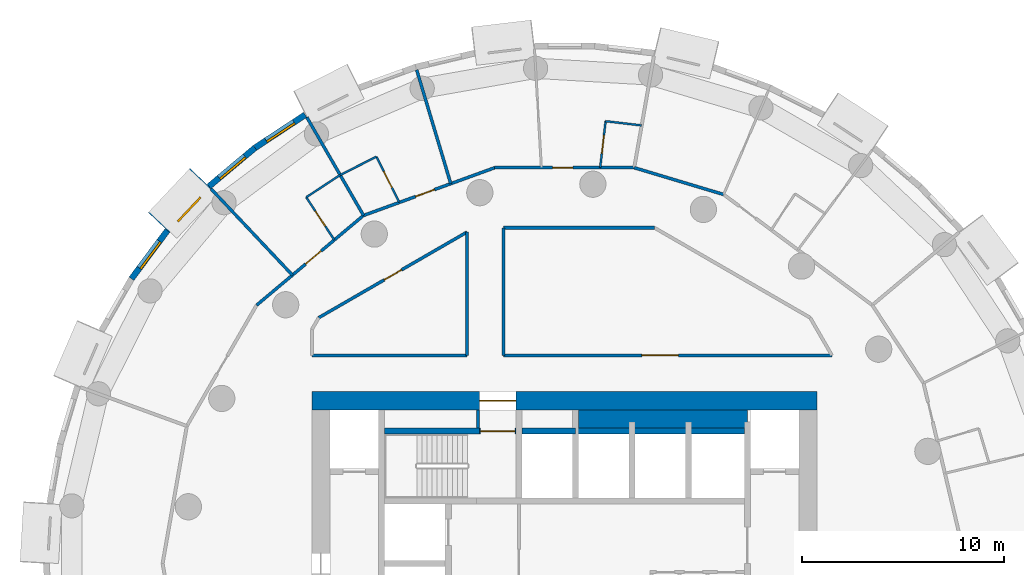
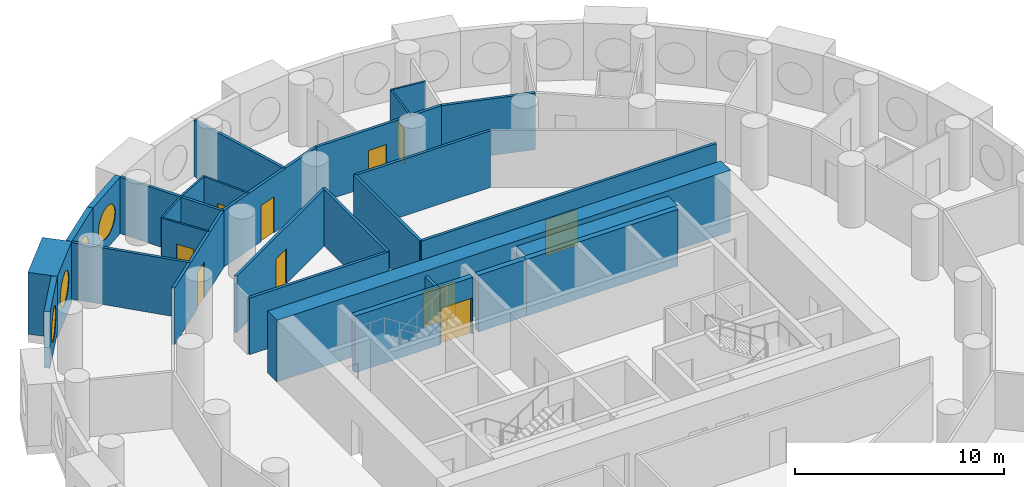
# One storey, part 6 of 9: 30 walls, 10 doors, 4 windows, 14 openings.
"""IFC4 building model written with IfcOpenShell, lengths in metres."""

from ifc_helpers import new_model, si_unit, direction, frame, frame_2d, origin, origin_2d, place, context, subcontext, project, spatial, rectangle, circle, extrude, material, layer, layer_set, type_object, element, fill, save


model = new_model("IFC4")

# Units and contexts
model_context = context("Model", 3, precision=1e-05, world=origin(), true_north=direction((0.0, 1.0)))
body_context = subcontext(model_context, "Body", "Model", "MODEL_VIEW")
ifc_project = project(units=[si_unit("LENGTHUNIT", "METRE"), si_unit("AREAUNIT", "SQUARE_METRE"), si_unit("VOLUMEUNIT", "CUBIC_METRE"), si_unit("PLANEANGLEUNIT", "RADIAN"), si_unit("MASSUNIT", "GRAM", prefix="KILO")], contexts=[model_context])

# Site, building, storey
site_placement = place(None, origin())
site = spatial("IfcSite", under=ifc_project, at=site_placement, CompositionType="ELEMENT")
building_placement = place(site_placement, origin())
building = spatial("IfcBuilding", under=site, at=building_placement, Name="Tracery Tower", CompositionType="ELEMENT")
storey_placement = place(building_placement, frame((0.0, 0.0, 176.39990234375)))
storey = spatial("IfcBuildingStorey", under=building, at=storey_placement, Name="L45", CompositionType="ELEMENT", Elevation=176.39990234375)

# Walls
ifc_material_1 = material(Name="Plasterboard on steel studs", Category="steel")
ifc_layer_1 = layer(ifc_material_1, 0.14990234375)
ifc_layer_set_1 = layer_set([ifc_layer_1], Name="Core room partition 150")
wall_type_1 = type_object("IfcWallType", Name="Core room partition 150", PredefinedType="SOLIDWALL", material=ifc_layer_set_1)
wall_1_placement = place(storey_placement, frame((-4.27490234375, 6.699951171875, 0.0), z_axis=(0.0, 0.0, 1.0), x_axis=(0.0, 1.0, 0.0)))
element("IfcWall", 1, at=wall_1_placement, inside=storey, type_object=wall_type_1, Name="L45 F N room", PredefinedType="SOLIDWALL", context=body_context, shape_type="SweptSolid", body=[
    extrude(rectangle(XDim=0.900146484375, YDim=0.14990234375, at=frame_2d((0.4501953125, 0.0))), origin(), (0.0, 0.0, 1.0), 3.300048828125),
])
ifc_material_2 = material(Name="Concrete C50/60", Category="concrete")
ifc_layer_2 = layer(ifc_material_2, 0.89990234375)
ifc_layer_set_2 = layer_set([ifc_layer_2], Name="Core strip wall 900 C50")
wall_type_2 = type_object("IfcWallType", Name="Core strip wall 900 C50", PredefinedType="SOLIDWALL", material=ifc_layer_set_2)
wall_2_placement = place(storey_placement, frame((0.699951171875, 7.14990234375, 0.0), z_axis=(0.0, 0.0, 1.0), x_axis=(1.0, 0.0, 0.0)))
element("IfcWall", 2, at=wall_2_placement, inside=storey, type_object=wall_type_2, Name="L45 F thick N E", PredefinedType="SOLIDWALL", context=body_context, shape_type="SweptSolid", body=[
    extrude(rectangle(XDim=8.35009765625, YDim=0.89990234375, at=frame_2d((4.175048828125, 0.0))), origin(), (0.0, 0.0, 1.0), 3.300048828125),
])

# Wall, opening, door
ifc_material_3 = material(Name="Concrete C50/60", Category="concrete")
ifc_layer_3 = layer(ifc_material_3, 0.89990234375)
ifc_layer_set_3 = layer_set([ifc_layer_3], Name="Core wall 900 C50")
wall_type_3 = type_object("IfcWallType", Name="Core wall 900 C50", PredefinedType="SOLIDWALL", material=ifc_layer_set_3)
wall_3_placement = place(storey_placement, frame((-12.5, 8.050048828125, 0.0), z_axis=(0.0, 0.0, 1.0), x_axis=(1.0, 0.0, 0.0)))
wall_3 = element("IfcWall", 3, at=wall_3_placement, inside=storey, type_object=wall_type_3, Name="L45 outer N", PredefinedType="SOLIDWALL", context=body_context, shape_type="SweptSolid", body=[
    extrude(rectangle(XDim=25.0, YDim=0.89990234375, at=frame_2d((12.5, 0.0))), origin(), (0.0, 0.0, 1.0), 3.60009765625),
])
opening_1_placement = place(wall_3_placement, frame((8.300048828125, 0.0, 0.0)))
opening_1 = element("IfcOpeningElement", 4, at=opening_1_placement, cuts=wall_3, Name="Opening KD13", PredefinedType="OPENING", context=body_context, shape_type="SweptSolid", body=[
    extrude(rectangle(XDim=1.800048828125, YDim=2.10009765625, at=frame_2d((0.89990234375, 1.050048828125))), frame((0.0, 0.449951171875, 0.0), z_axis=(0.0, -1.0, 0.0), x_axis=(1.0, 0.0, 0.0)), (0.0, 0.0, 1.0), 0.89990234375),
])
ifc_material_4 = material(Name="Steel fire door", Category="steel")
door_type_1 = type_object("IfcDoorType", Name="Core exit door 1800 double", OperationType="NOTDEFINED", PredefinedType="DOOR", material=ifc_material_4)
door_1_placement = place(opening_1_placement, origin())
door_1 = element("IfcDoor", 5, at=door_1_placement, inside=storey, type_object=door_type_1, Name="Core exit door", OperationType="DOUBLE_DOOR_SINGLE_SWING", OverallHeight=2.10009765625, OverallWidth=1.800048828125, PredefinedType="DOOR", context=body_context, shape_type="SweptSolid", body=[
    extrude(rectangle(XDim=1.800048828125, YDim=2.10009765625, at=frame_2d((0.89990234375, 1.050048828125))), frame((0.0, 0.02490234375, 0.0), z_axis=(0.0, -1.0, 0.0), x_axis=(1.0, 0.0, 0.0)), (0.0, 0.0, 1.0), 0.050048828125),
])
fill(opening_1, door_1)

# Wall, opening, window
ifc_material_5 = material(Name="Precast concrete C50/60", Category="concrete")
ifc_layer_4 = layer(ifc_material_5, 1.449951171875)
ifc_layer_set_4 = layer_set([ifc_layer_4], Name="Deep-set bay unit 3000 x 3600, slab edge 300")
wall_type_4 = type_object("IfcWallType", Name="Deep-set bay unit 3000 x 3600, slab edge 300", PredefinedType="ELEMENTEDWALL", material=ifc_layer_set_4)
wall_4_placement = place(storey_placement, frame((-18.0126953125, 19.05615234375, -0.2998046875), z_axis=(0.0, 0.0, 1.0), x_axis=(-0.686217177108, -0.727396718334, 0.0)))
wall_4 = element("IfcWall", 6, at=wall_4_placement, inside=storey, type_object=wall_type_4, Name="Deep-set bay unit 21 at L45", PredefinedType="ELEMENTEDWALL", context=body_context, shape_type="SweptSolid", body=[
    extrude(rectangle(XDim=3.0, YDim=1.449951171875, at=frame_2d((1.5, 0.0))), origin(), (0.0, 0.0, 1.0), 3.599853515625),
])
opening_2_placement = place(wall_4_placement, frame((1.5, 0.0, 1.85009765625)))
opening_2 = element("IfcOpeningElement", 7, at=opening_2_placement, cuts=wall_4, Name="Opening WN1", PredefinedType="OPENING", context=body_context, shape_type="SweptSolid", body=[
    extrude(circle(Radius=0.9000244140625, at=origin_2d()), frame((0.0, 0.73486328125, 0.0), z_axis=(0.0, -1.0, 0.0), x_axis=(1.0, 0.0, 0.0)), (0.0, 0.0, 1.0), 1.469970703125),
])
ifc_material_6 = material(Name="Aluminium frame with tinted double glazing", Category="aluminium")
window_type = type_object("IfcWindowType", Name="Round window 1800", PartitioningType="SINGLE_PANEL", PredefinedType="WINDOW", material=ifc_material_6)
window_1_placement = place(opening_2_placement, origin())
window_1 = element("IfcWindow", 8, at=window_1_placement, inside=storey, type_object=window_type, Name="Round window 21 at L45", OverallHeight=1.800048828125, OverallWidth=1.800048828125, PartitioningType="SINGLE_PANEL", PredefinedType="WINDOW", context=body_context, shape_type="SweptSolid", body=[
    extrude(circle(Radius=0.9000244140625, at=origin_2d()), frame((0.0, 0.69482421875, 0.0), z_axis=(0.0, -1.0, 0.0), x_axis=(1.0, 0.0, 0.0)), (0.0, 0.0, 1.0), 0.10009765625),
])
fill(opening_2, window_1)

ifc_material_7 = material(Name="Precast concrete C50/60", Category="concrete")
ifc_layer_5 = layer(ifc_material_7, 0.300048828125)
ifc_layer_set_5 = layer_set([ifc_layer_5], Name="Facade panel 3000 x 3300")
wall_type_5 = type_object("IfcWallType", Name="Facade panel 3000 x 3300", PredefinedType="SOLIDWALL", material=ifc_layer_set_5)
wall_5_placement = place(storey_placement, frame((-12.831787109375, 22.2060546875, 0.0), z_axis=(0.0, 0.0, 1.0), x_axis=(-0.835508361394, -0.54947773207, 0.0)))
wall_5 = element("IfcWall", 9, at=wall_5_placement, inside=storey, type_object=wall_type_5, Name="Facade panel 19 at L45", PredefinedType="SOLIDWALL", context=body_context, shape_type="SweptSolid", body=[
    extrude(rectangle(XDim=2.972900390625, YDim=0.300048828125, at=frame_2d((1.486328125, 0.0))), origin(), (0.0, 0.0, 1.0), 3.300048828125),
])
opening_3_placement = place(wall_5_placement, frame((1.486328125, 0.0, 1.5498046875)))
opening_3 = element("IfcOpeningElement", 10, at=opening_3_placement, cuts=wall_5, Name="Opening WN1", PredefinedType="OPENING", context=body_context, shape_type="SweptSolid", body=[
    extrude(circle(Radius=0.9000244140625, at=origin_2d()), frame((0.0, 0.159912109375, 0.0), z_axis=(0.0, -1.0, 0.0), x_axis=(1.0, 0.0, 0.0)), (0.0, 0.0, 1.0), 0.320068359375),
])
window_2_placement = place(opening_3_placement, origin())
window_2 = element("IfcWindow", 11, at=window_2_placement, inside=storey, type_object=window_type, Name="Round window 19 at L45", OverallHeight=1.800048828125, OverallWidth=1.800048828125, PartitioningType="SINGLE_PANEL", PredefinedType="WINDOW", context=body_context, shape_type="SweptSolid", body=[
    extrude(circle(Radius=0.9000244140625, at=origin_2d()), frame((0.0, 0.1201171875, 0.0), z_axis=(0.0, -1.0, 0.0), x_axis=(1.0, 0.0, 0.0)), (0.0, 0.0, 1.0), 0.10009765625),
])
fill(opening_3, window_2)

wall_6_placement = place(storey_placement, frame((-15.315673828125, 20.572509765625, 0.0), z_axis=(0.0, 0.0, 1.0), x_axis=(-0.766008913364, -0.642829950023, 0.0)))
wall_6 = element("IfcWall", 12, at=wall_6_placement, inside=storey, type_object=wall_type_5, Name="Facade panel 20 at L45", PredefinedType="SOLIDWALL", context=body_context, shape_type="SweptSolid", body=[
    extrude(rectangle(XDim=2.972900390625, YDim=0.300048828125, at=frame_2d((1.486328125, 0.0))), origin(), (0.0, 0.0, 1.0), 3.300048828125),
])
opening_4_placement = place(wall_6_placement, frame((1.486328125, 0.0, 1.5498046875)))
opening_4 = element("IfcOpeningElement", 13, at=opening_4_placement, cuts=wall_6, Name="Opening WN1", PredefinedType="OPENING", context=body_context, shape_type="SweptSolid", body=[
    extrude(circle(Radius=0.9000244140625, at=origin_2d()), frame((0.0, 0.159912109375, 0.0), z_axis=(0.0, -1.0, 0.0), x_axis=(1.0, 0.0, 0.0)), (0.0, 0.0, 1.0), 0.320068359375),
])
window_3_placement = place(opening_4_placement, origin())
window_3 = element("IfcWindow", 14, at=window_3_placement, inside=storey, type_object=window_type, Name="Round window 20 at L45", OverallHeight=1.800048828125, OverallWidth=1.800048828125, PartitioningType="SINGLE_PANEL", PredefinedType="WINDOW", context=body_context, shape_type="SweptSolid", body=[
    extrude(circle(Radius=0.9000244140625, at=origin_2d()), frame((0.0, 0.1201171875, 0.0), z_axis=(0.0, -1.0, 0.0), x_axis=(1.0, 0.0, 0.0)), (0.0, 0.0, 1.0), 0.10009765625),
])
fill(opening_4, window_3)

wall_7_placement = place(storey_placement, frame((-19.65283203125, 16.47802734375, 0.0), z_axis=(0.0, 0.0, 1.0), x_axis=(-0.597197580538, -0.80209416517, 0.0)))
wall_7 = element("IfcWall", 15, at=wall_7_placement, inside=storey, type_object=wall_type_5, Name="Facade panel 22 at L45", PredefinedType="SOLIDWALL", context=body_context, shape_type="SweptSolid", body=[
    extrude(rectangle(XDim=2.972900390625, YDim=0.300048828125, at=frame_2d((1.486328125, 0.0))), origin(), (0.0, 0.0, 1.0), 3.300048828125),
])
opening_5_placement = place(wall_7_placement, frame((1.486328125, 0.0, 1.5498046875)))
opening_5 = element("IfcOpeningElement", 16, at=opening_5_placement, cuts=wall_7, Name="Opening WN1", PredefinedType="OPENING", context=body_context, shape_type="SweptSolid", body=[
    extrude(circle(Radius=0.9000244140625, at=origin_2d()), frame((0.0, 0.159912109375, 0.0), z_axis=(0.0, -1.0, 0.0), x_axis=(1.0, 0.0, 0.0)), (0.0, 0.0, 1.0), 0.320068359375),
])
window_4_placement = place(opening_5_placement, origin())
window_4 = element("IfcWindow", 17, at=window_4_placement, inside=storey, type_object=window_type, Name="Round window 22 at L45", OverallHeight=1.800048828125, OverallWidth=1.800048828125, PartitioningType="SINGLE_PANEL", PredefinedType="WINDOW", context=body_context, shape_type="SweptSolid", body=[
    extrude(circle(Radius=0.9000244140625, at=origin_2d()), frame((0.0, 0.1201171875, 0.0), z_axis=(0.0, -1.0, 0.0), x_axis=(1.0, 0.0, 0.0)), (0.0, 0.0, 1.0), 0.10009765625),
])
fill(opening_5, window_4)

# Wall
ifc_material_8 = material(Name="Plasterboard on steel studs", Category="steel")
ifc_layer_6 = layer(ifc_material_8, 0.10009765625)
ifc_layer_set_6 = layer_set([ifc_layer_6], Name="Partition 100 wet wall")
wall_type_6 = type_object("IfcWallType", Name="Partition 100 wet wall", PredefinedType="PARTITIONING", material=ifc_layer_set_6)
wall_8_placement = place(storey_placement, frame((2.037109375, 21.886962890625, 0.0), z_axis=(0.0, 0.0, 1.0), x_axis=(0.993215363366, -0.116289474906, 0.0)))
element("IfcWall", 18, at=wall_8_placement, inside=storey, type_object=wall_type_6, Name="Wet wall RB5-053", PredefinedType="PARTITIONING", context=body_context, shape_type="SweptSolid", body=[
    extrude(rectangle(XDim=1.797119140625, YDim=0.10009765625, at=frame_2d((0.8984375, 0.0))), origin(), (0.0, 0.0, 1.0), 3.300048828125),
])

# Wall, opening, door
wall_9_placement = place(storey_placement, frame((1.76806640625, 19.5859375, 0.0), z_axis=(0.0, 0.0, 1.0), x_axis=(0.116131951318, 0.993233794171, 0.0)))
wall_9 = element("IfcWall", 19, at=wall_9_placement, inside=storey, type_object=wall_type_6, Name="Wet wall RB5-054", PredefinedType="PARTITIONING", context=body_context, shape_type="SweptSolid", body=[
    extrude(rectangle(XDim=2.316650390625, YDim=0.10009765625, at=frame_2d((1.158203125, 0.0))), origin(), (0.0, 0.0, 1.0), 3.300048828125),
])
opening_6_placement = place(wall_9_placement, frame((0.708740234375, 0.0, 0.0)))
opening_6 = element("IfcOpeningElement", 20, at=opening_6_placement, cuts=wall_9, Name="Opening RB5-14", PredefinedType="OPENING", context=body_context, shape_type="SweptSolid", body=[
    extrude(rectangle(XDim=0.89990234375, YDim=2.0, at=frame_2d((0.449951171875, 1.0))), frame((0.0, 0.050048828125, 0.0), z_axis=(0.0, -1.0, 0.0), x_axis=(1.0, 0.0, 0.0)), (0.0, 0.0, 1.0), 0.10009765625),
])
ifc_material_9 = material(Name="Timber door leaf", Category="wood")
door_type_2 = type_object("IfcDoorType", Name="Door shower room 900", OperationType="NOTDEFINED", PredefinedType="DOOR", material=ifc_material_9)
door_2_placement = place(opening_6_placement, origin())
door_2 = element("IfcDoor", 21, at=door_2_placement, inside=storey, type_object=door_type_2, Name="Shower room door RB5-14", OperationType="SINGLE_SWING_LEFT", OverallHeight=2.0, OverallWidth=0.89990234375, PredefinedType="DOOR", context=body_context, shape_type="SweptSolid", body=[
    extrude(rectangle(XDim=0.89990234375, YDim=2.0, at=frame_2d((0.449951171875, 1.0))), frame((0.0, 0.02490234375, 0.0), z_axis=(0.0, -1.0, 0.0), x_axis=(1.0, 0.0, 0.0)), (0.0, 0.0, 1.0), 0.050048828125),
])
fill(opening_6, door_2)

wall_10_placement = place(storey_placement, frame((-9.305908203125, 20.1279296875, 0.0), z_axis=(0.0, 0.0, 1.0), x_axis=(0.448950999616, -0.893556377597, 0.0)))
wall_10 = element("IfcWall", 22, at=wall_10_placement, inside=storey, type_object=wall_type_6, Name="Wet wall RB5-056", PredefinedType="PARTITIONING", context=body_context, shape_type="SweptSolid", body=[
    extrude(rectangle(XDim=2.528076171875, YDim=0.10009765625, at=frame_2d((1.26416015625, 0.0))), origin(), (0.0, 0.0, 1.0), 3.300048828125),
])
opening_7_placement = place(wall_10_placement, frame((0.814208984375, 0.0, 0.0)))
opening_7 = element("IfcOpeningElement", 23, at=opening_7_placement, cuts=wall_10, Name="Opening RB5-16", PredefinedType="OPENING", context=body_context, shape_type="SweptSolid", body=[
    extrude(rectangle(XDim=0.89990234375, YDim=2.0400390625, at=frame_2d((0.449951171875, 1.02001953125))), frame((0.0, 0.050048828125, 0.0), z_axis=(0.0, -1.0, 0.0), x_axis=(1.0, 0.0, 0.0)), (0.0, 0.0, 1.0), 0.10009765625),
])
ifc_material_10 = material(Name="Timber door leaf", Category="wood")
door_type_3 = type_object("IfcDoorType", Name="Door en-suite 900", OperationType="NOTDEFINED", PredefinedType="DOOR", material=ifc_material_10)
door_3_placement = place(opening_7_placement, origin())
door_3 = element("IfcDoor", 24, at=door_3_placement, inside=storey, type_object=door_type_3, Name="En-suite door RB5-16", OperationType="SINGLE_SWING_LEFT", OverallHeight=2.0400390625, OverallWidth=0.89990234375, PredefinedType="DOOR", context=body_context, shape_type="SweptSolid", body=[
    extrude(rectangle(XDim=0.89990234375, YDim=2.0400390625, at=frame_2d((0.449951171875, 1.02001953125))), frame((0.0, 0.02490234375, 0.0), z_axis=(0.0, -1.0, 0.0), x_axis=(1.0, 0.0, 0.0)), (0.0, 0.0, 1.0), 0.050048828125),
])
fill(opening_7, door_3)

# Walls
for number, where, z_axis, x_axis, name in (
    (25, (-11.10107421875, 19.22705078125, 0.0), (0.0, 0.0, 1.0), (0.8937698483, 0.448525872464, 0.0), "Wet wall RB5-057"),
    (26, (-12.779052734375, 18.123046875, 0.0), (0.0, 0.0, 1.0), (0.835400926368, 0.549641057622, 0.0), "Wet wall RB5-059"),
):
    element("IfcWall", number, at=place(storey_placement, frame(where, z_axis=z_axis, x_axis=x_axis)), inside=storey, type_object=wall_type_6, Name=name, PredefinedType="PARTITIONING", context=body_context, shape_type="SweptSolid", body=[
        extrude(rectangle(XDim=2.008544921875, YDim=0.10009765625, at=frame_2d((1.00439453125, 0.0))), origin(), (0.0, 0.0, 1.0), 3.300048828125),
    ])

# Wall, opening, door
wall_11_placement = place(storey_placement, frame((-12.779052734375, 18.123046875, 0.0), z_axis=(0.0, 0.0, 1.0), x_axis=(0.549788507485, -0.835303895021, 0.0)))
wall_11 = element("IfcWall", 27, at=wall_11_placement, inside=storey, type_object=wall_type_6, Name="Wet wall RB5-060", PredefinedType="PARTITIONING", context=body_context, shape_type="SweptSolid", body=[
    extrude(rectangle(XDim=2.528564453125, YDim=0.10009765625, at=frame_2d((1.26416015625, 0.0))), origin(), (0.0, 0.0, 1.0), 3.300048828125),
])
opening_8_placement = place(wall_11_placement, frame((0.81396484375, 0.0, 0.0)))
opening_8 = element("IfcOpeningElement", 28, at=opening_8_placement, cuts=wall_11, Name="Opening RB5-18", PredefinedType="OPENING", context=body_context, shape_type="SweptSolid", body=[
    extrude(rectangle(XDim=0.89990234375, YDim=2.0400390625, at=frame_2d((0.449951171875, 1.02001953125))), frame((0.0, 0.050048828125, 0.0), z_axis=(0.0, -1.0, 0.0), x_axis=(1.0, 0.0, 0.0)), (0.0, 0.0, 1.0), 0.10009765625),
])
door_4_placement = place(opening_8_placement, origin())
door_4 = element("IfcDoor", 29, at=door_4_placement, inside=storey, type_object=door_type_3, Name="En-suite door RB5-18", OperationType="SINGLE_SWING_LEFT", OverallHeight=2.0400390625, OverallWidth=0.89990234375, PredefinedType="DOOR", context=body_context, shape_type="SweptSolid", body=[
    extrude(rectangle(XDim=0.89990234375, YDim=2.0400390625, at=frame_2d((0.449951171875, 1.02001953125))), frame((0.0, 0.02490234375, 0.0), z_axis=(0.0, -1.0, 0.0), x_axis=(1.0, 0.0, 0.0)), (0.0, 0.0, 1.0), 0.050048828125),
])
fill(opening_8, door_4)

# Walls
ifc_material_11 = material(Name="Plasterboard on steel studs", Category="steel")
ifc_layer_7 = layer(ifc_material_11, 0.14990234375)
ifc_layer_set_7 = layer_set([ifc_layer_7], Name="Partition 150 acoustic unit wall")
wall_type_7 = type_object("IfcWallType", Name="Partition 150 acoustic unit wall", PredefinedType="PARTITIONING", material=ifc_layer_set_7)
wall_12_placement = place(storey_placement, frame((-7.31298828125, 24.426025390625, 0.0), z_axis=(0.0, 0.0, 1.0), x_axis=(0.286833432865, -0.957980470464, 0.0)))
element("IfcWall", 30, at=wall_12_placement, inside=storey, type_object=wall_type_7, Name="Unit wall RB5-055", PredefinedType="PARTITIONING", context=body_context, shape_type="SweptSolid", body=[
    extrude(rectangle(XDim=5.878173828125, YDim=0.14990234375, at=frame_2d((2.93896484375, 0.0))), origin(), (0.0, 0.0, 1.0), 3.300048828125),
])
wall_13_placement = place(storey_placement, frame((-12.7490234375, 22.0810546875, 0.0), z_axis=(0.0, 0.0, 1.0), x_axis=(0.500061505771, -0.865989890499, 0.0)))
element("IfcWall", 31, at=wall_13_placement, inside=storey, type_object=wall_type_7, Name="Unit wall RB5-058", PredefinedType="PARTITIONING", context=body_context, shape_type="SweptSolid", body=[
    extrude(rectangle(XDim=5.609619140625, YDim=0.14990234375, at=frame_2d((2.8046875, 0.0))), origin(), (0.0, 0.0, 1.0), 3.300048828125),
])
wall_14_placement = place(storey_placement, frame((-17.4970703125, 18.5458984375, 0.0), z_axis=(0.0, 0.0, 1.0), x_axis=(0.6862502776, -0.72736549031, 0.0)))
element("IfcWall", 32, at=wall_14_placement, inside=storey, type_object=wall_type_7, Name="Unit wall RB5-061", PredefinedType="PARTITIONING", context=body_context, shape_type="SweptSolid", body=[
    extrude(rectangle(XDim=5.878662109375, YDim=0.14990234375, at=frame_2d((2.939453125, 0.0))), origin(), (0.0, 0.0, 1.0), 3.300048828125),
])
ifc_material_12 = material(Name="Plasterboard on steel studs", Category="steel")
ifc_layer_8 = layer(ifc_material_12, 0.14990234375)
ifc_layer_set_8 = layer_set([ifc_layer_8], Name="Partition 150 corridor wall")
wall_type_8 = type_object("IfcWallType", Name="Partition 150 corridor wall", PredefinedType="PARTITIONING", material=ifc_layer_set_8)
wall_15_placement = place(storey_placement, frame((-12.50390625, 10.300048828125, 0.0), z_axis=(0.0, 0.0, 1.0), x_axis=(1.0, 0.0, 0.0)))
element("IfcWall", 33, at=wall_15_placement, inside=storey, type_object=wall_type_8, Name="Corridor wall RB5-001", PredefinedType="PARTITIONING", context=body_context, shape_type="SweptSolid", body=[
    extrude(rectangle(XDim=7.68701171875, YDim=0.14990234375, at=frame_2d((3.843505859375, 0.0))), origin(), (0.0, 0.0, 1.0), 3.300048828125),
])

# Wall, opening, door
wall_16_placement = place(storey_placement, frame((-3.02490234375, 10.300048828125, 0.0), z_axis=(0.0, 0.0, 1.0), x_axis=(1.0, 0.0, 0.0)))
wall_16 = element("IfcWall", 34, at=wall_16_placement, inside=storey, type_object=wall_type_8, Name="Corridor wall RB5-002", PredefinedType="PARTITIONING", context=body_context, shape_type="SweptSolid", body=[
    extrude(rectangle(XDim=16.261962890625, YDim=0.14990234375, at=frame_2d((8.130859375, 0.0))), origin(), (0.0, 0.0, 1.0), 3.300048828125),
])
opening_9_placement = place(wall_16_placement, frame((6.863037109375, 0.0, 0.0)))
opening_9 = element("IfcOpeningElement", 35, at=opening_9_placement, cuts=wall_16, Name="Opening RB5-02", PredefinedType="OPENING", context=body_context, shape_type="SweptSolid", body=[
    extrude(rectangle(XDim=1.800048828125, YDim=2.10009765625, at=frame_2d((0.89990234375, 1.050048828125))), frame((0.0, 0.074951171875, 0.0), z_axis=(0.0, -1.0, 0.0), x_axis=(1.0, 0.0, 0.0)), (0.0, 0.0, 1.0), 0.14990234375),
])
ifc_material_13 = material(Name="Timber door leaf", Category="wood")
door_type_4 = type_object("IfcDoorType", Name="Door double lounge 1800", OperationType="NOTDEFINED", PredefinedType="DOOR", material=ifc_material_13)
door_5_placement = place(opening_9_placement, origin())
door_5 = element("IfcDoor", 36, at=door_5_placement, inside=storey, type_object=door_type_4, Name="Double lounge door RB5-02", OperationType="DOUBLE_DOOR_SINGLE_SWING", OverallHeight=2.10009765625, OverallWidth=1.800048828125, PredefinedType="DOOR", context=body_context, shape_type="SweptSolid", body=[
    extrude(rectangle(XDim=1.800048828125, YDim=2.10009765625, at=frame_2d((0.89990234375, 1.050048828125))), frame((0.0, 0.02490234375, 0.0), z_axis=(0.0, -1.0, 0.0), x_axis=(1.0, 0.0, 0.0)), (0.0, 0.0, 1.0), 0.050048828125),
])
fill(opening_9, door_5)

# Wall
wall_17_placement = place(storey_placement, frame((-4.821044921875, 10.300048828125, 0.0), z_axis=(0.0, 0.0, 1.0), x_axis=(0.0, 1.0, 0.0)))
element("IfcWall", 37, at=wall_17_placement, inside=storey, type_object=wall_type_8, Name="Corridor wall RB5-013", PredefinedType="PARTITIONING", context=body_context, shape_type="SweptSolid", body=[
    extrude(rectangle(XDim=6.100830078125, YDim=0.14990234375, at=frame_2d((3.05029296875, 0.0))), origin(), (0.0, 0.0, 1.0), 3.300048828125),
])

# Wall, opening, door
wall_18_placement = place(storey_placement, frame((-12.162109375, 12.162109375, 0.0), z_axis=(0.0, 0.0, 1.0), x_axis=(0.866004766557, 0.500035743023, 0.0)))
wall_18 = element("IfcWall", 38, at=wall_18_placement, inside=storey, type_object=wall_type_8, Name="Corridor wall RB5-014", PredefinedType="PARTITIONING", context=body_context, shape_type="SweptSolid", body=[
    extrude(rectangle(XDim=8.47705078125, YDim=0.14990234375, at=frame_2d((4.238525390625, 0.0))), origin(), (0.0, 0.0, 1.0), 3.300048828125),
])
opening_10_placement = place(wall_18_placement, frame((3.739013671875, 0.0, 0.0)))
opening_10 = element("IfcOpeningElement", 39, at=opening_10_placement, cuts=wall_18, Name="Opening RB5-01", PredefinedType="OPENING", context=body_context, shape_type="SweptSolid", body=[
    extrude(rectangle(XDim=1.0, YDim=2.0400390625, at=frame_2d((0.5, 1.02001953125))), frame((0.0, 0.074951171875, 0.0), z_axis=(0.0, -1.0, 0.0), x_axis=(1.0, 0.0, 0.0)), (0.0, 0.0, 1.0), 0.14990234375),
])
ifc_material_14 = material(Name="Timber door leaf", Category="wood")
door_type_5 = type_object("IfcDoorType", Name="Door communal room 1000", OperationType="NOTDEFINED", PredefinedType="DOOR", material=ifc_material_14)
door_6_placement = place(opening_10_placement, origin())
door_6 = element("IfcDoor", 40, at=door_6_placement, inside=storey, type_object=door_type_5, Name="Communal room door RB5-01", OperationType="SINGLE_SWING_LEFT", OverallHeight=2.0400390625, OverallWidth=1.0, PredefinedType="DOOR", context=body_context, shape_type="SweptSolid", body=[
    extrude(rectangle(XDim=1.0, YDim=2.0400390625, at=frame_2d((0.5, 1.02001953125))), frame((0.0, 0.02490234375, 0.0), z_axis=(0.0, -1.0, 0.0), x_axis=(1.0, 0.0, 0.0)), (0.0, 0.0, 1.0), 0.050048828125),
])
fill(opening_10, door_6)

# Walls
wall_19_placement = place(storey_placement, frame((-3.02099609375, 16.614013671875, 0.0), z_axis=(0.0, 0.0, 1.0), x_axis=(1.0, 0.0, 0.0)))
element("IfcWall", 41, at=wall_19_placement, inside=storey, type_object=wall_type_8, Name="Corridor wall RB5-016", PredefinedType="PARTITIONING", context=body_context, shape_type="SweptSolid", body=[
    extrude(rectangle(XDim=7.472900390625, YDim=0.14990234375, at=frame_2d((3.736328125, 0.0))), origin(), (0.0, 0.0, 1.0), 3.300048828125),
])
wall_20_placement = place(storey_placement, frame((-3.02099609375, 10.300048828125, 0.0), z_axis=(0.0, 0.0, 1.0), x_axis=(0.0, 1.0, 0.0)))
element("IfcWall", 42, at=wall_20_placement, inside=storey, type_object=wall_type_8, Name="Corridor wall RB5-017", PredefinedType="PARTITIONING", context=body_context, shape_type="SweptSolid", body=[
    extrude(rectangle(XDim=6.31396484375, YDim=0.14990234375, at=frame_2d((3.156982421875, 0.0))), origin(), (0.0, 0.0, 1.0), 3.300048828125),
])
wall_21_placement = place(storey_placement, frame((3.452880859375, 19.5859375, 0.0), z_axis=(0.0, 0.0, 1.0), x_axis=(0.95796149329, -0.286896806141, 0.0)))
element("IfcWall", 43, at=wall_21_placement, inside=storey, type_object=wall_type_8, Name="Corridor wall RB5-018", PredefinedType="PARTITIONING", context=body_context, shape_type="SweptSolid", body=[
    extrude(rectangle(XDim=4.6181640625, YDim=0.14990234375, at=frame_2d((2.30908203125, 0.0))), origin(), (0.0, 0.0, 1.0), 3.300048828125),
])

# Wall, opening, door
wall_22_placement = place(storey_placement, frame((-3.452880859375, 19.5859375, 0.0), z_axis=(0.0, 0.0, 1.0), x_axis=(1.0, 0.0, 0.0)))
wall_22 = element("IfcWall", 44, at=wall_22_placement, inside=storey, type_object=wall_type_8, Name="Corridor wall RB5-019", PredefinedType="PARTITIONING", context=body_context, shape_type="SweptSolid", body=[
    extrude(rectangle(XDim=6.90576171875, YDim=0.14990234375, at=frame_2d((3.452880859375, 0.0))), origin(), (0.0, 0.0, 1.0), 3.300048828125),
])
opening_11_placement = place(wall_22_placement, frame((2.865966796875, 0.0, 0.0)))
opening_11 = element("IfcOpeningElement", 45, at=opening_11_placement, cuts=wall_22, Name="Opening RB5-15", PredefinedType="OPENING", context=body_context, shape_type="SweptSolid", body=[
    extrude(rectangle(XDim=1.0, YDim=2.10009765625, at=frame_2d((0.5, 1.050048828125))), frame((0.0, 0.074951171875, 0.0), z_axis=(0.0, -1.0, 0.0), x_axis=(1.0, 0.0, 0.0)), (0.0, 0.0, 1.0), 0.14990234375),
])
ifc_material_15 = material(Name="Timber door leaf", Category="wood")
door_type_6 = type_object("IfcDoorType", Name="Door unit entrance 1000", OperationType="NOTDEFINED", PredefinedType="DOOR", material=ifc_material_15)
door_7_placement = place(opening_11_placement, origin())
door_7 = element("IfcDoor", 46, at=door_7_placement, inside=storey, type_object=door_type_6, Name="Unit entrance door RB5-15", OperationType="SINGLE_SWING_LEFT", OverallHeight=2.10009765625, OverallWidth=1.0, PredefinedType="DOOR", context=body_context, shape_type="SweptSolid", body=[
    extrude(rectangle(XDim=1.0, YDim=2.10009765625, at=frame_2d((0.5, 1.050048828125))), frame((0.0, 0.02490234375, 0.0), z_axis=(0.0, -1.0, 0.0), x_axis=(1.0, 0.0, 0.0)), (0.0, 0.0, 1.0), 0.050048828125),
])
fill(opening_11, door_7)

wall_23_placement = place(storey_placement, frame((-9.943603515625, 17.2216796875, 0.0), z_axis=(0.0, 0.0, 1.0), x_axis=(0.939607544688, 0.342253797591, 0.0)))
wall_23 = element("IfcWall", 47, at=wall_23_placement, inside=storey, type_object=wall_type_8, Name="Corridor wall RB5-020", PredefinedType="PARTITIONING", context=body_context, shape_type="SweptSolid", body=[
    extrude(rectangle(XDim=6.907958984375, YDim=0.14990234375, at=frame_2d((3.4541015625, 0.0))), origin(), (0.0, 0.0, 1.0), 3.300048828125),
])
opening_12_placement = place(wall_23_placement, frame((2.740478515625, 0.0, 0.0)))
opening_12 = element("IfcOpeningElement", 48, at=opening_12_placement, cuts=wall_23, Name="Opening RB5-17", PredefinedType="OPENING", context=body_context, shape_type="SweptSolid", body=[
    extrude(rectangle(XDim=1.0, YDim=2.10009765625, at=frame_2d((0.5, 1.050048828125))), frame((0.0, 0.074951171875, 0.0), z_axis=(0.0, -1.0, 0.0), x_axis=(1.0, 0.0, 0.0)), (0.0, 0.0, 1.0), 0.14990234375),
])
door_8_placement = place(opening_12_placement, origin())
door_8 = element("IfcDoor", 49, at=door_8_placement, inside=storey, type_object=door_type_6, Name="Unit entrance door RB5-17", OperationType="SINGLE_SWING_LEFT", OverallHeight=2.10009765625, OverallWidth=1.0, PredefinedType="DOOR", context=body_context, shape_type="SweptSolid", body=[
    extrude(rectangle(XDim=1.0, YDim=2.10009765625, at=frame_2d((0.5, 1.050048828125))), frame((0.0, 0.02490234375, 0.0), z_axis=(0.0, -1.0, 0.0), x_axis=(1.0, 0.0, 0.0)), (0.0, 0.0, 1.0), 0.050048828125),
])
fill(opening_12, door_8)

wall_24_placement = place(storey_placement, frame((-15.23388671875, 12.782958984375, 0.0), z_axis=(0.0, 0.0, 1.0), x_axis=(0.765918610974, 0.642937540795, 0.0)))
wall_24 = element("IfcWall", 50, at=wall_24_placement, inside=storey, type_object=wall_type_8, Name="Corridor wall RB5-021", PredefinedType="PARTITIONING", context=body_context, shape_type="SweptSolid", body=[
    extrude(rectangle(XDim=6.906494140625, YDim=0.14990234375, at=frame_2d((3.453125, 0.0))), origin(), (0.0, 0.0, 1.0), 3.300048828125),
])
opening_13_placement = place(wall_24_placement, frame((3.16650390625, 0.0, 0.0)))
opening_13 = element("IfcOpeningElement", 51, at=opening_13_placement, cuts=wall_24, Name="Opening RB5-19", PredefinedType="OPENING", context=body_context, shape_type="SweptSolid", body=[
    extrude(rectangle(XDim=1.0, YDim=2.10009765625, at=frame_2d((0.5, 1.050048828125))), frame((0.0, 0.074951171875, 0.0), z_axis=(0.0, -1.0, 0.0), x_axis=(1.0, 0.0, 0.0)), (0.0, 0.0, 1.0), 0.14990234375),
])
door_9_placement = place(opening_13_placement, origin())
door_9 = element("IfcDoor", 52, at=door_9_placement, inside=storey, type_object=door_type_6, Name="Unit entrance door RB5-19", OperationType="SINGLE_SWING_RIGHT", OverallHeight=2.10009765625, OverallWidth=1.0, PredefinedType="DOOR", context=body_context, shape_type="SweptSolid", body=[
    extrude(rectangle(XDim=1.0, YDim=2.10009765625, at=frame_2d((0.5, 1.050048828125))), frame((0.0, 0.02490234375, 0.0), z_axis=(0.0, -1.0, 0.0), x_axis=(1.0, 0.0, 0.0)), (0.0, 0.0, 1.0), 0.050048828125),
])
fill(opening_13, door_9)

# Wall
ifc_material_16 = material(Name="Concrete C50/60", Category="concrete")
ifc_layer_9 = layer(ifc_material_16, 0.300048828125)
ifc_layer_set_9 = layer_set([ifc_layer_9], Name="Stair wall 300 C50")
wall_type_9 = type_object("IfcWallType", Name="Stair wall 300 C50", PredefinedType="SOLIDWALL", material=ifc_layer_set_9)
wall_25_placement = place(storey_placement, frame((-8.89990234375, 6.550048828125, 0.0), z_axis=(0.0, 0.0, 1.0), x_axis=(1.0, 0.0, 0.0)))
element("IfcWall", 53, at=wall_25_placement, inside=storey, type_object=wall_type_9, Name="L45 F N W", PredefinedType="SOLIDWALL", context=body_context, shape_type="SweptSolid", body=[
    extrude(rectangle(XDim=4.699951171875, YDim=0.300048828125, at=frame_2d((2.35009765625, 0.0))), origin(), (0.0, 0.0, 1.0), 3.300048828125),
])

# Wall, opening, door
wall_26_placement = place(storey_placement, frame((-4.199951171875, 6.550048828125, 0.0), z_axis=(0.0, 0.0, 1.0), x_axis=(1.0, 0.0, 0.0)))
wall_26 = element("IfcWall", 54, at=wall_26_placement, inside=storey, type_object=wall_type_9, Name="L45 F stair N", PredefinedType="SOLIDWALL", context=body_context, shape_type="SweptSolid", body=[
    extrude(rectangle(XDim=1.800048828125, YDim=0.300048828125, at=frame_2d((0.89990234375, 0.0))), origin(), (0.0, 0.0, 1.0), 3.300048828125),
])
opening_14_placement = place(wall_26_placement, frame((0.050048828125, 0.0, 0.0)))
opening_14 = element("IfcOpeningElement", 55, at=opening_14_placement, cuts=wall_26, Name="Opening KD3", PredefinedType="OPENING", context=body_context, shape_type="SweptSolid", body=[
    extrude(rectangle(XDim=1.699951171875, YDim=2.10009765625, at=frame_2d((0.85009765625, 1.050048828125))), frame((0.0, 0.14990234375, 0.0), z_axis=(0.0, -1.0, 0.0), x_axis=(1.0, 0.0, 0.0)), (0.0, 0.0, 1.0), 0.300048828125),
])
ifc_material_17 = material(Name="Steel fire door", Category="steel")
door_type_7 = type_object("IfcDoorType", Name="Core stair door 1700 double", OperationType="NOTDEFINED", PredefinedType="DOOR", material=ifc_material_17)
door_10_placement = place(opening_14_placement, origin())
door_10 = element("IfcDoor", 56, at=door_10_placement, inside=storey, type_object=door_type_7, Name="Stair door vest", OperationType="DOUBLE_DOOR_SINGLE_SWING", OverallHeight=2.10009765625, OverallWidth=1.699951171875, PredefinedType="DOOR", context=body_context, shape_type="SweptSolid", body=[
    extrude(rectangle(XDim=1.699951171875, YDim=2.10009765625, at=frame_2d((0.85009765625, 1.050048828125))), frame((0.0, 0.02490234375, 0.0), z_axis=(0.0, -1.0, 0.0), x_axis=(1.0, 0.0, 0.0)), (0.0, 0.0, 1.0), 0.050048828125),
])
fill(opening_14, door_10)

# Walls
wall_27_placement = place(storey_placement, frame((-2.10009765625, 6.550048828125, 0.0), z_axis=(0.0, 0.0, 1.0), x_axis=(1.0, 0.0, 0.0)))
element("IfcWall", 57, at=wall_27_placement, inside=storey, type_object=wall_type_9, Name="L45 F N E1", PredefinedType="SOLIDWALL", context=body_context, shape_type="SweptSolid", body=[
    extrude(rectangle(XDim=2.650146484375, YDim=0.300048828125, at=frame_2d((1.3251953125, 0.0))), origin(), (0.0, 0.0, 1.0), 3.300048828125),
])
wall_28_placement = place(storey_placement, frame((0.550048828125, 6.550048828125, 0.0), z_axis=(0.0, 0.0, 1.0), x_axis=(1.0, 0.0, 0.0)))
element("IfcWall", 58, at=wall_28_placement, inside=storey, type_object=wall_type_9, Name="L45 F stair strip N E", PredefinedType="SOLIDWALL", context=body_context, shape_type="SweptSolid", body=[
    extrude(rectangle(XDim=8.349853515625, YDim=0.300048828125, at=frame_2d((4.1748046875, 0.0))), origin(), (0.0, 0.0, 1.0), 3.300048828125),
])

save(model, "model.ifc")
